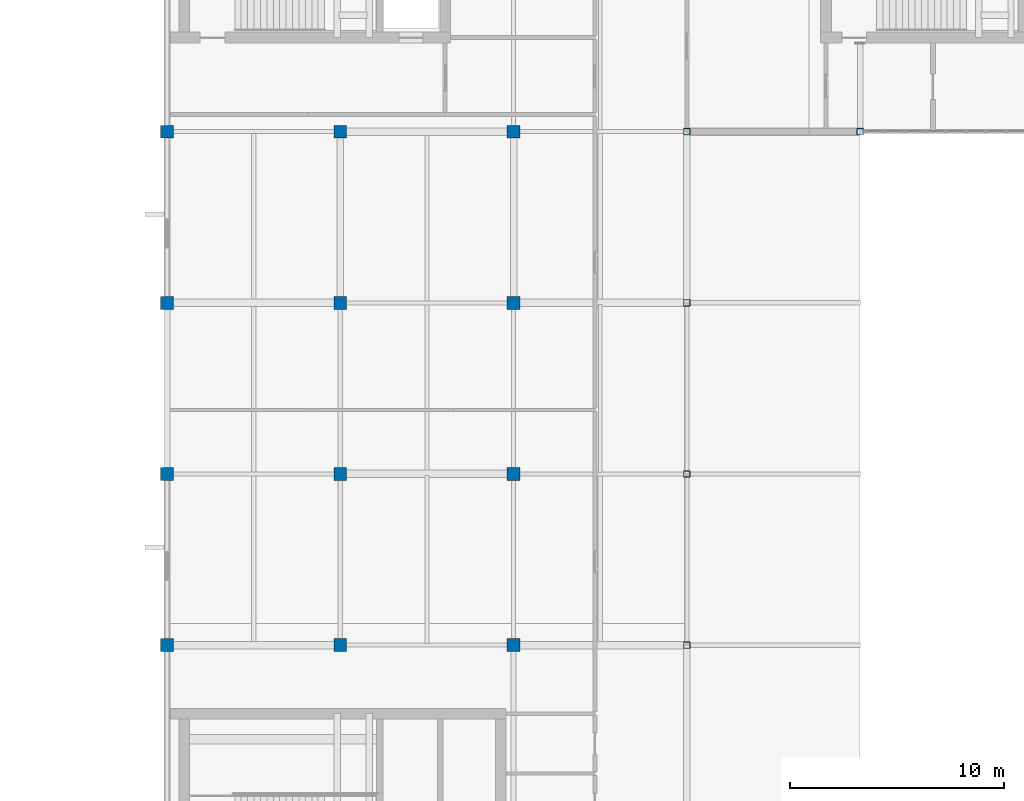
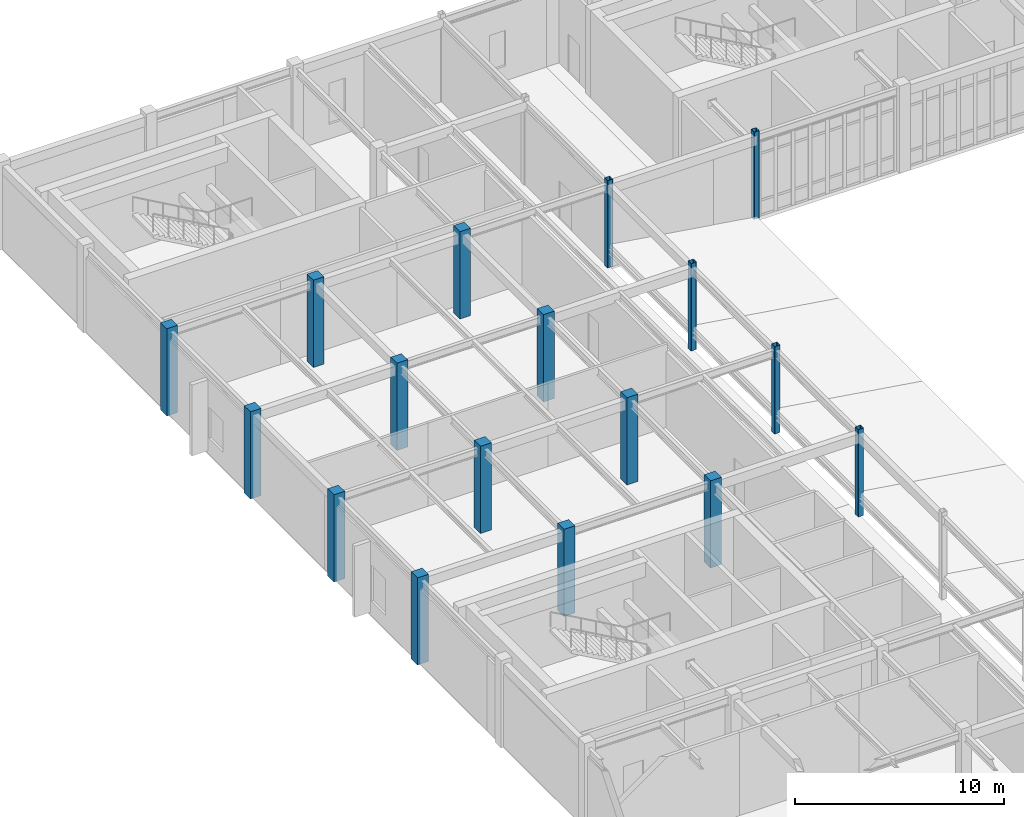
# One storey, part 5 of 70: 17 columns.
"""IFC4 building model written with IfcOpenShell, lengths in metres."""

from ifc_helpers import new_model, si_unit, direction, frame, origin, origin_2d, place, context, subcontext, project, spatial, rectangle, hollow_rectangle, extrude, material, material_profile, profile_set, type_object, element, save


model = new_model("IFC4")

# Units and contexts
model_context = context("Model", 3, precision=1e-05, world=origin(), true_north=direction((0.0, 1.0)))
body_context = subcontext(model_context, "Body", "Model", "MODEL_VIEW")
ifc_project = project(units=[si_unit("LENGTHUNIT", "METRE"), si_unit("AREAUNIT", "SQUARE_METRE"), si_unit("VOLUMEUNIT", "CUBIC_METRE"), si_unit("PLANEANGLEUNIT", "RADIAN"), si_unit("MASSUNIT", "GRAM", prefix="KILO")], contexts=[model_context])

# Site, building, storey
site_placement = place(None, origin())
site = spatial("IfcSite", under=ifc_project, at=site_placement, CompositionType="ELEMENT")
building_placement = place(site_placement, origin())
building = spatial("IfcBuilding", under=site, at=building_placement, Name="Tarnveldt Square Police Headquarters", CompositionType="ELEMENT")
storey_placement = place(building_placement, frame((0.0, 0.0, 19.800048828125)))
storey = spatial("IfcBuildingStorey", under=building, at=storey_placement, Name="L04", CompositionType="ELEMENT", Elevation=19.800048828125)

# Columns
ifc_material_1 = material(Name="Steel 350W", Category="steel")
ifc_material_profile_1 = material_profile(ifc_material_1, hollow_rectangle(XDim=0.3046875, YDim=0.3046875, WallThickness=0.015869140625, InnerFilletRadius=0.015869140625, OuterFilletRadius=0.03173828125, at=origin_2d()), Name="HSS305x305x16")
ifc_profile_set_1 = profile_set([ifc_material_profile_1], Name="Steel 350W")
column_type_1 = type_object("IfcColumnType", Name="COL-HSS305x16", PredefinedType="COLUMN", material=ifc_profile_set_1)
for number, where, z_axis, x_axis, name in (
    (1, (40.5, 72.0, 0.0), (0.0, 0.0, 1.0), (1.0, 0.0, 0.0), "L04 Column 064"),
    (2, (40.5, 80.0, 0.0), (0.0, 0.0, 1.0), (1.0, 0.0, 0.0), "L04 Column 065"),
    (3, (40.5, 88.0, 0.0), (0.0, 0.0, 1.0), (1.0, 0.0, 0.0), "L04 Column 066"),
    (4, (40.5, 96.0, 0.0), (0.0, 0.0, 1.0), (1.0, 0.0, 0.0), "L04 Column 067"),
    (5, (48.60009765625, 96.0, 0.0), (0.0, 0.0, 1.0), (1.0, 0.0, 0.0), "L04 Column 079"),
):
    element("IfcColumn", number, at=place(storey_placement, frame(where, z_axis=z_axis, x_axis=x_axis)), inside=storey, type_object=column_type_1, Name=name, PredefinedType="COLUMN", context=body_context, shape_type="SweptSolid", body=[
        extrude(hollow_rectangle(XDim=0.3046875, YDim=0.3046875, WallThickness=0.015869140625, InnerFilletRadius=0.015869140625, OuterFilletRadius=0.03173828125, at=origin_2d()), origin(), (0.0, 0.0, 1.0), 5.099853515625),
    ])
ifc_material_2 = material(Name="Concrete 40 MPa", Category="concrete")
ifc_material_profile_2 = material_profile(ifc_material_2, rectangle(XDim=0.60009765625, YDim=0.60009765625, at=origin_2d()), Name="RC-C600x600")
ifc_profile_set_2 = profile_set([ifc_material_profile_2], Name="Concrete 40 MPa")
column_type_2 = type_object("IfcColumnType", Name="COL-RC600", PredefinedType="COLUMN", material=ifc_profile_set_2)
for number, where, z_axis, x_axis, name in (
    (6, (16.199951171875, 72.0, 0.0), (0.0, 0.0, 1.0), (1.0, 0.0, 0.0), "L04 Column 022"),
    (7, (16.199951171875, 80.0, 0.0), (0.0, 0.0, 1.0), (1.0, 0.0, 0.0), "L04 Column 023"),
    (8, (16.199951171875, 88.0, 0.0), (0.0, 0.0, 1.0), (1.0, 0.0, 0.0), "L04 Column 024"),
    (9, (16.199951171875, 96.0, 0.0), (0.0, 0.0, 1.0), (1.0, 0.0, 0.0), "L04 Column 025"),
    (10, (24.300048828125, 72.0, 0.0), (0.0, 0.0, 1.0), (1.0, 0.0, 0.0), "L04 Column 034"),
    (11, (24.300048828125, 80.0, 0.0), (0.0, 0.0, 1.0), (1.0, 0.0, 0.0), "L04 Column 035"),
    (12, (24.300048828125, 88.0, 0.0), (0.0, 0.0, 1.0), (1.0, 0.0, 0.0), "L04 Column 036"),
    (13, (24.300048828125, 96.0, 0.0), (0.0, 0.0, 1.0), (1.0, 0.0, 0.0), "L04 Column 037"),
    (14, (32.39990234375, 72.0, 0.0), (0.0, 0.0, 1.0), (1.0, 0.0, 0.0), "L04 Column 050"),
    (15, (32.39990234375, 80.0, 0.0), (0.0, 0.0, 1.0), (1.0, 0.0, 0.0), "L04 Column 051"),
    (16, (32.39990234375, 88.0, 0.0), (0.0, 0.0, 1.0), (1.0, 0.0, 0.0), "L04 Column 052"),
    (17, (32.39990234375, 96.0, 0.0), (0.0, 0.0, 1.0), (1.0, 0.0, 0.0), "L04 Column 053"),
):
    element("IfcColumn", number, at=place(storey_placement, frame(where, z_axis=z_axis, x_axis=x_axis)), inside=storey, type_object=column_type_2, Name=name, PredefinedType="COLUMN", context=body_context, shape_type="SweptSolid", body=[
        extrude(rectangle(XDim=0.60009765625, YDim=0.60009765625, at=origin_2d()), origin(), (0.0, 0.0, 1.0), 5.099853515625),
    ])

save(model, "model.ifc")
